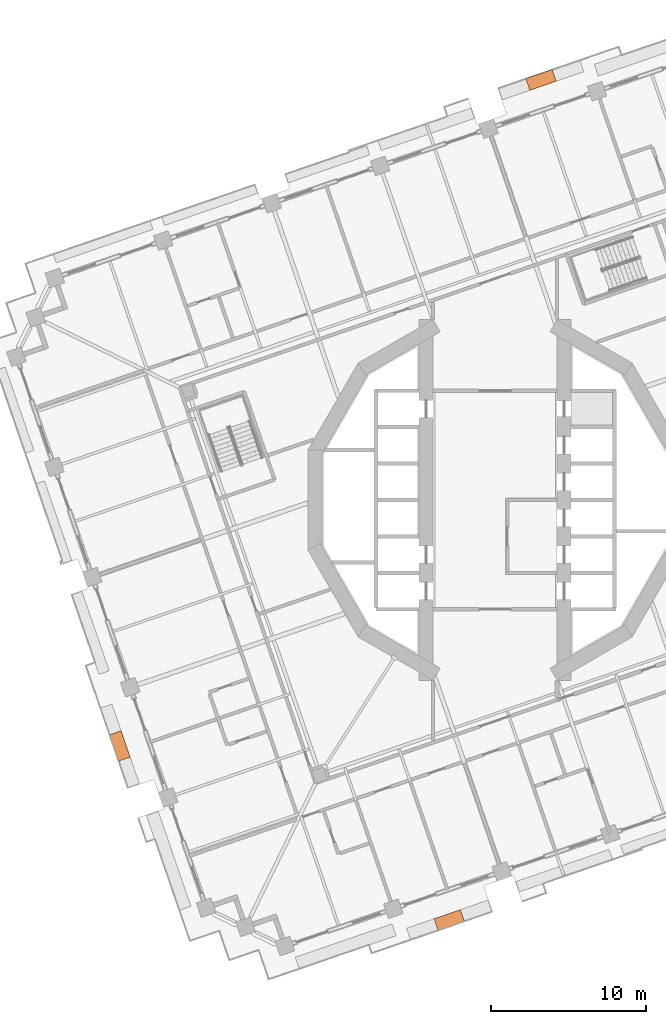
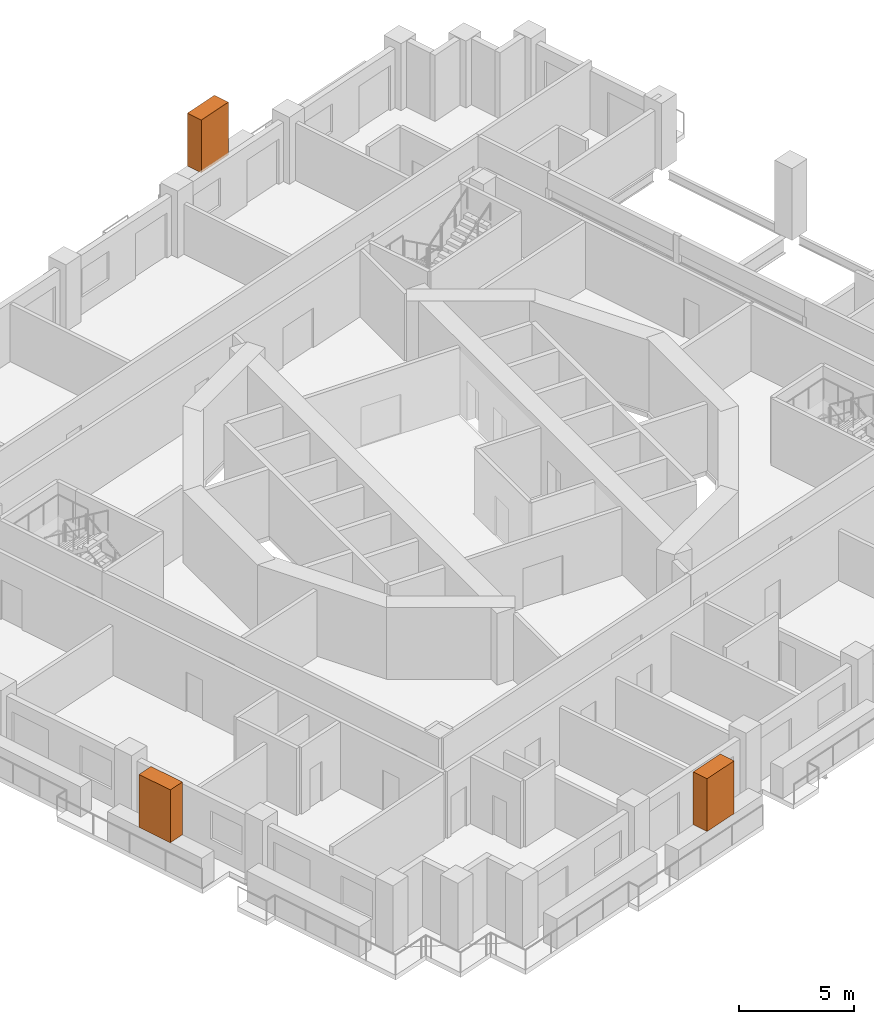
# One storey, part 19 of 19: 3 proxies.
"""IFC4 building model written with IfcOpenShell, lengths in metres."""

from ifc_helpers import new_model, si_unit, direction, frame, origin, origin_2d, place, context, subcontext, project, spatial, rectangle, extrude, element, save


model = new_model("IFC4")

# Units and contexts
model_context = context("Model", 3, precision=1e-05, world=origin(), true_north=direction((0.0, 1.0)))
body_context = subcontext(model_context, "Body", "Model", "MODEL_VIEW")
ifc_project = project(units=[si_unit("LENGTHUNIT", "METRE"), si_unit("AREAUNIT", "SQUARE_METRE"), si_unit("VOLUMEUNIT", "CUBIC_METRE"), si_unit("PLANEANGLEUNIT", "RADIAN"), si_unit("MASSUNIT", "GRAM", prefix="KILO")], contexts=[model_context])

# Site, building, storey
site_placement = place(None, origin())
site = spatial("IfcSite", under=ifc_project, at=site_placement, CompositionType="ELEMENT")
building_placement = place(site_placement, origin())
building = spatial("IfcBuilding", under=site, at=building_placement, Name="Cantera Rosa Tower", CompositionType="ELEMENT")
storey_placement = place(building_placement, frame((0.0, 0.0, 126.89990234375)))
storey = spatial("IfcBuildingStorey", under=building, at=storey_placement, Name="L26", CompositionType="ELEMENT", Elevation=126.89990234375)

# Proxies
for number, where, z_axis, x_axis, name in (
    (1, (2.960205078125, 27.109375, 1.60009765625), (0.0, 0.0, 1.0), (-0.945518575599, -0.325568154457, 0.0), "TREE L26-07"),
    (2, (-24.223876953125, -15.87109375, 1.60009765625), (0.0, 0.0, 1.0), (0.325568154457, -0.945518575599, 0.0), "TREE L26-15"),
    (3, (-2.960205078125, -27.109375, 1.60009765625), (0.0, 0.0, 1.0), (0.945518575599, 0.325568154457, 0.0), "TREE L26-18"),
):
    element("IfcBuildingElementProxy", number, at=place(storey_placement, frame(where, z_axis=z_axis, x_axis=x_axis)), inside=storey, Name=name, ObjectType="TREE", PredefinedType="USERDEFINED", context=body_context, shape_type="SweptSolid", body=[
        extrude(rectangle(XDim=1.800048828125, YDim=0.800048828125, at=origin_2d()), origin(), (0.0, 0.0, 1.0), 2.800048828125),
    ])

save(model, "model.ifc")
